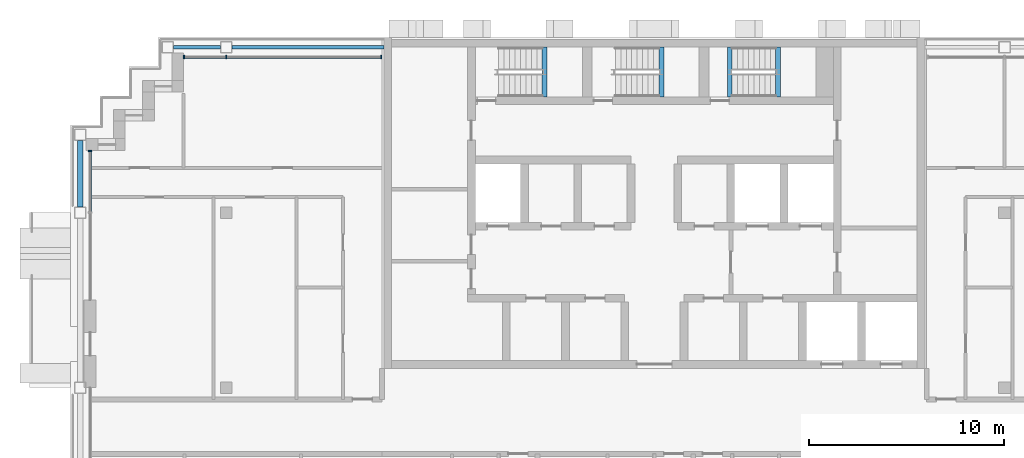
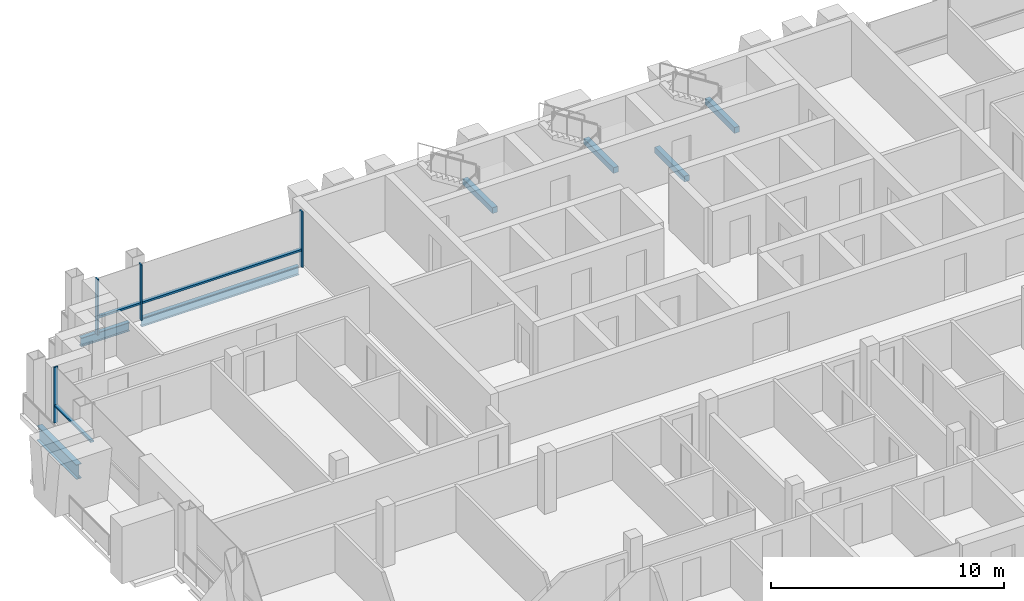
# One storey, part 4 of 16: 7 beams, 7 members, 2 elements without a shape of their own.
"""IFC4 building model written with IfcOpenShell, lengths in metres."""

from ifc_helpers import new_model, si_unit, direction, frame, origin, origin_2d, place, context, subcontext, project, spatial, rectangle, i_section, extrude, material, material_profile, profile_set, type_object, element, aggregate, save


model = new_model("IFC4")

# Units and contexts
model_context = context("Model", 3, precision=1e-05, world=origin(), true_north=direction((0.0, 1.0)))
body_context = subcontext(model_context, "Body", "Model", "MODEL_VIEW")
ifc_project = project(units=[si_unit("LENGTHUNIT", "METRE"), si_unit("AREAUNIT", "SQUARE_METRE"), si_unit("VOLUMEUNIT", "CUBIC_METRE"), si_unit("PLANEANGLEUNIT", "RADIAN"), si_unit("MASSUNIT", "GRAM", prefix="KILO")], contexts=[model_context])

# Site, building, storey
site_placement = place(None, origin())
site = spatial("IfcSite", under=ifc_project, at=site_placement, CompositionType="ELEMENT")
building_placement = place(site_placement, origin())
building = spatial("IfcBuilding", under=site, at=building_placement, Name="Vidyagriha Tower", CompositionType="ELEMENT")
storey_placement = place(building_placement, frame((0.0, 0.0, 223.60009765625)))
storey = spatial("IfcBuildingStorey", under=building, at=storey_placement, Name="L58", CompositionType="ELEMENT", Elevation=223.60009765625)

# Beams
ifc_material_1 = material(Name="Steel ASTM A992 Grade 50", Category="steel")
ifc_material_profile_1 = material_profile(ifc_material_1, i_section(OverallWidth=0.2666015625, OverallDepth=0.76953125, WebThickness=0.015625, FlangeThickness=0.025390625, at=origin_2d()), Name="W30X132")
ifc_profile_set_1 = profile_set([ifc_material_profile_1], Name="Steel ASTM A992 Grade 50")
beam_type_1 = type_object("IfcBeamType", Name="Cantilever edge beam W30X132", PredefinedType="SPANDREL", material=ifc_profile_set_1)
beam_1_placement = place(storey_placement, frame((-29.5, 11.300048828125, -0.664794921875), z_axis=(0.0, 1.0, 0.0), x_axis=(-1.0, 0.0, 0.0)))
element("IfcBeam", 1, at=beam_1_placement, inside=storey, type_object=beam_type_1, Name="st-beam-L58-W12", PredefinedType="SPANDREL", context=body_context, shape_type="SweptSolid", body=[
    extrude(i_section(OverallWidth=0.2666015625, OverallDepth=0.76953125, WebThickness=0.015625, FlangeThickness=0.025390625, at=origin_2d()), origin(), (0.0, 0.0, 1.0), 3.39990234375),
])
ifc_material_2 = material(Name="Steel ASTM A992 Grade 50", Category="steel")
ifc_material_profile_2 = material_profile(ifc_material_2, i_section(OverallWidth=0.19189453125, OverallDepth=0.46240234375, WebThickness=0.010498046875, FlangeThickness=0.017578125, at=origin_2d()), Name="W18X60")
ifc_profile_set_2 = profile_set([ifc_material_profile_2], Name="Steel ASTM A992 Grade 50")
beam_type_2 = type_object("IfcBeamType", Name="Edge beam W18X60", PredefinedType="SPANDREL", material=ifc_profile_set_2)
beam_2_placement = place(storey_placement, frame((-24.699951171875, 19.5, -0.51123046875), z_axis=(1.0, 0.0, 0.0), x_axis=(0.0, 1.0, 0.0)))
element("IfcBeam", 2, at=beam_2_placement, inside=storey, type_object=beam_type_2, Name="st-beam-L58-NW18", PredefinedType="SPANDREL", context=body_context, shape_type="SweptSolid", body=[
    extrude(i_section(OverallWidth=0.19189453125, OverallDepth=0.46240234375, WebThickness=0.010498046875, FlangeThickness=0.017578125, at=origin_2d()), origin(), (0.0, 0.0, 1.0), 2.39990234375),
])
beam_3_placement = place(storey_placement, frame((-21.699951171875, 19.5, -0.51123046875), z_axis=(1.0, 0.0, 0.0), x_axis=(0.0, 1.0, 0.0)))
element("IfcBeam", 3, at=beam_3_placement, inside=storey, type_object=beam_type_2, Name="st-beam-L58-NC20", PredefinedType="SPANDREL", context=body_context, shape_type="SweptSolid", body=[
    extrude(i_section(OverallWidth=0.19189453125, OverallDepth=0.46240234375, WebThickness=0.010498046875, FlangeThickness=0.017578125, at=origin_2d()), origin(), (0.0, 0.0, 1.0), 7.800048828125),
])

# Curtain wall, members
ifc_material_3 = material(Name="Aluminium and glass curtain wall", Category="aluminium")
curtain_wall_type = type_object("IfcCurtainWallType", Name="Dwelling skin unitised curtain wall", PredefinedType="USERDEFINED", material=ifc_material_3)
curtain_wall_1_placement = place(storey_placement, origin())
curtain_wall_1 = element("IfcCurtainWall", 4, at=curtain_wall_1_placement, inside=storey, type_object=curtain_wall_type, Name="CW1 dwelling skin", ObjectType="UNITISED", PredefinedType="USERDEFINED")
ifc_material_4 = material(Name="Aluminium black anodised", Category="aluminium")
ifc_material_profile_3 = material_profile(ifc_material_4, rectangle(XDim=0.199951171875, YDim=0.070068359375, at=origin_2d()), Name="Mullion 70x200 black aluminium")
ifc_profile_set_3 = profile_set([ifc_material_profile_3], Name="Aluminium black anodised")
member_type_1 = type_object("IfcMemberType", Name="Mullion 70x200 black aluminium", PredefinedType="MULLION", material=ifc_profile_set_3)
member_1_placement = place(storey_placement, frame((-14.034912109375, 19.0, 0.0), z_axis=(0.0, 0.0, 1.0), x_axis=(0.0, -1.0, 0.0)))
member_1 = element("IfcMember", 5, at=member_1_placement, type_object=member_type_1, Name="CW1 mullion 1", PredefinedType="MULLION", context=body_context, shape_type="SweptSolid", body=[
    extrude(rectangle(XDim=0.199951171875, YDim=0.070068359375, at=origin_2d()), origin(), (0.0, 0.0, 1.0), 2.919921875),
])
member_2_placement = place(storey_placement, frame((-22.0, 19.0, 0.0), z_axis=(0.0, 0.0, 1.0), x_axis=(0.0, -1.0, 0.0)))
member_2 = element("IfcMember", 6, at=member_2_placement, type_object=member_type_1, Name="CW1 mullion 2", PredefinedType="MULLION", context=body_context, shape_type="SweptSolid", body=[
    extrude(rectangle(XDim=0.199951171875, YDim=0.070068359375, at=origin_2d()), origin(), (0.0, 0.0, 1.0), 2.919921875),
])
member_3_placement = place(storey_placement, frame((-24.1650390625, 19.0, 0.0), z_axis=(0.0, 0.0, 1.0), x_axis=(0.0, -1.0, 0.0)))
member_3 = element("IfcMember", 7, at=member_3_placement, type_object=member_type_1, Name="CW1 mullion 3", PredefinedType="MULLION", context=body_context, shape_type="SweptSolid", body=[
    extrude(rectangle(XDim=0.199951171875, YDim=0.070068359375, at=origin_2d()), origin(), (0.0, 0.0, 1.0), 2.919921875),
])

# Curtain wall, member
curtain_wall_2_placement = place(storey_placement, origin())
curtain_wall_2 = element("IfcCurtainWall", 8, at=curtain_wall_2_placement, inside=storey, type_object=curtain_wall_type, Name="CW1 dwelling skin", ObjectType="UNITISED", PredefinedType="USERDEFINED")
member_4_placement = place(storey_placement, frame((-29.0, 14.1650390625, 0.0)))
member_4 = element("IfcMember", 9, at=member_4_placement, type_object=member_type_1, Name="CW1 mullion 1", PredefinedType="MULLION", context=body_context, shape_type="SweptSolid", body=[
    extrude(rectangle(XDim=0.199951171875, YDim=0.070068359375, at=origin_2d()), origin(), (0.0, 0.0, 1.0), 2.919921875),
])

# Beams
ifc_material_5 = material(Name="Concrete C40/50", Category="concrete")
ifc_material_profile_4 = material_profile(ifc_material_5, rectangle(XDim=0.25, YDim=0.300048828125, at=origin_2d()), Name="Stair landing bearing beam 250x300")
ifc_profile_set_4 = profile_set([ifc_material_profile_4], Name="Concrete C40/50")
beam_type_3 = type_object("IfcBeamType", Name="Stair landing bearing beam 250x300", PredefinedType="BEAM", material=ifc_profile_set_4)
for number, where, z_axis, x_axis, name in (
    (10, (3.875, 16.949951171875, -0.43017578125), (0.0, 1.0, 0.0), (-1.0, 0.0, 0.0), "ST3 floor landing bearing beam L58"),
    (11, (-5.635009765625, 16.949951171875, 1.25), (0.0, 1.0, 0.0), (-1.0, 0.0, 0.0), "ST1 landing bearing beam L58"),
    (12, (0.364990234375, 16.949951171875, 1.25), (0.0, 1.0, 0.0), (-1.0, 0.0, 0.0), "ST2 landing bearing beam L58"),
    (13, (6.364990234375, 16.949951171875, 1.25), (0.0, 1.0, 0.0), (-1.0, 0.0, 0.0), "ST3 landing bearing beam L58"),
):
    element("IfcBeam", number, at=place(storey_placement, frame(where, z_axis=z_axis, x_axis=x_axis)), inside=storey, type_object=beam_type_3, Name=name, PredefinedType="BEAM", context=body_context, shape_type="SweptSolid", body=[
        extrude(rectangle(XDim=0.25, YDim=0.300048828125, at=origin_2d()), origin(), (0.0, 0.0, 1.0), 2.550048828125),
    ])

# Member
ifc_material_6 = material(Name="Aluminium black anodised", Category="aluminium")
ifc_material_profile_5 = material_profile(ifc_material_6, rectangle(XDim=0.159912109375, YDim=0.10009765625, at=origin_2d()), Name="Transom 100x160 black aluminium")
ifc_profile_set_5 = profile_set([ifc_material_profile_5], Name="Aluminium black anodised")
member_type_2 = type_object("IfcMemberType", Name="Transom 100x160 black aluminium", PredefinedType="USERDEFINED", material=ifc_profile_set_5)
member_5_placement = place(storey_placement, frame((-14.070068359375, 19.0, 0.89990234375), z_axis=(-1.0, 0.0, 0.0), x_axis=(0.0, -1.0, 0.0)))
member_5 = element("IfcMember", 14, at=member_5_placement, type_object=member_type_2, Name="CW1 transom 1.1", ObjectType="TRANSOM", PredefinedType="USERDEFINED", context=body_context, shape_type="SweptSolid", body=[
    extrude(rectangle(XDim=0.159912109375, YDim=0.10009765625, at=origin_2d()), origin(), (0.0, 0.0, 1.0), 7.89501953125),
])

member_6_placement = place(storey_placement, frame((-22.034912109375, 19.0, 0.89990234375), z_axis=(-1.0, 0.0, 0.0), x_axis=(0.0, -1.0, 0.0)))
member_6 = element("IfcMember", 15, at=member_6_placement, type_object=member_type_2, Name="CW1 transom 2.1", ObjectType="TRANSOM", PredefinedType="USERDEFINED", context=body_context, shape_type="SweptSolid", body=[
    extrude(rectangle(XDim=0.159912109375, YDim=0.10009765625, at=origin_2d()), origin(), (0.0, 0.0, 1.0), 2.094970703125),
])

aggregate(curtain_wall_1, [member_1, member_2, member_3, member_5, member_6])

member_7_placement = place(storey_placement, frame((-29.0, 14.1298828125, 0.89990234375), z_axis=(0.0, -1.0, 0.0), x_axis=(1.0, 0.0, 0.0)))
member_7 = element("IfcMember", 16, at=member_7_placement, type_object=member_type_2, Name="CW1 transom 1.1", ObjectType="TRANSOM", PredefinedType="USERDEFINED", context=body_context, shape_type="SweptSolid", body=[
    extrude(rectangle(XDim=0.159912109375, YDim=0.10009765625, at=origin_2d()), origin(), (0.0, 0.0, 1.0), 3.094970703125),
])

aggregate(curtain_wall_2, [member_4, member_7])

save(model, "model.ifc")
